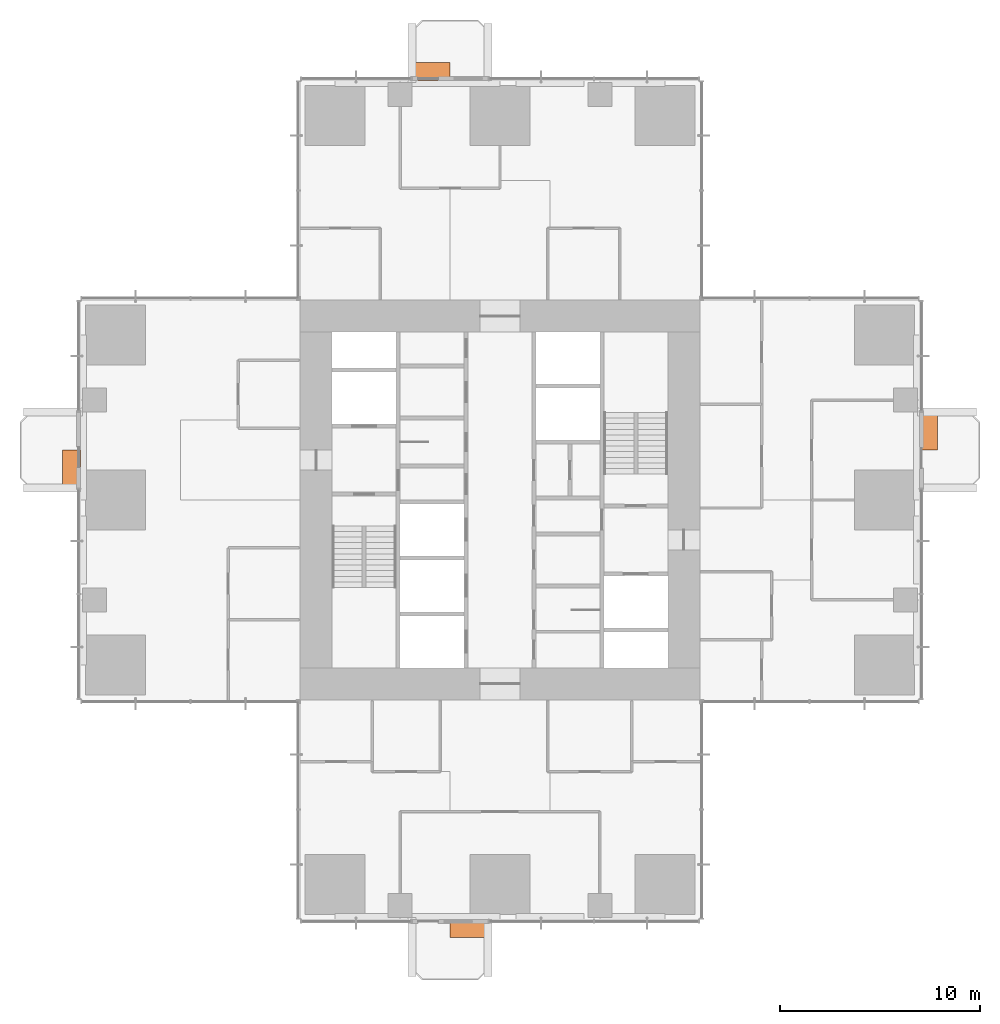
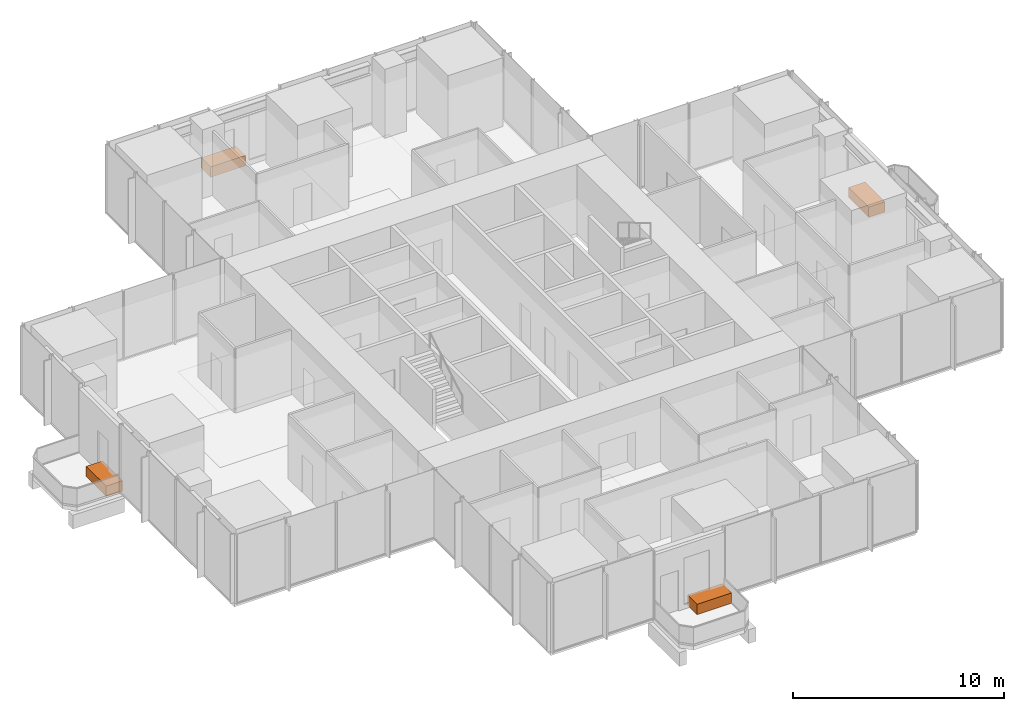
# One storey, part 13 of 13: 4 proxies.
"""IFC4 building model written with IfcOpenShell, lengths in metres."""

from ifc_helpers import new_model, si_unit, direction, frame, origin, origin_2d, place, context, subcontext, project, spatial, rectangle, extrude, element, save


model = new_model("IFC4")

# Units and contexts
model_context = context("Model", 3, precision=1e-05, world=origin(), true_north=direction((0.0, 1.0)))
body_context = subcontext(model_context, "Body", "Model", "MODEL_VIEW")
ifc_project = project(units=[si_unit("LENGTHUNIT", "METRE"), si_unit("AREAUNIT", "SQUARE_METRE"), si_unit("VOLUMEUNIT", "CUBIC_METRE"), si_unit("PLANEANGLEUNIT", "RADIAN"), si_unit("MASSUNIT", "GRAM", prefix="KILO")], contexts=[model_context])

# Site, building, storey
site_placement = place(None, origin())
site = spatial("IfcSite", under=ifc_project, at=site_placement, CompositionType="ELEMENT")
building_placement = place(site_placement, origin())
building = spatial("IfcBuilding", under=site, at=building_placement, Name="Svetlomir Tower", CompositionType="ELEMENT")
storey_placement = place(building_placement, frame((0.0, 0.0, 100.5)))
storey = spatial("IfcBuildingStorey", under=building, at=storey_placement, Name="L23", CompositionType="ELEMENT", Elevation=100.5)

# Proxies
proxy_1_placement = place(storey_placement, frame((19.449951171875, -0.449951171875, 0.0400390625), z_axis=(0.0, 0.0, 1.0), x_axis=(1.0, 0.0, 0.0)))
element("IfcBuildingElementProxy", 1, at=proxy_1_placement, inside=storey, Name="Tree planter S L23", ObjectType="PLANTER", PredefinedType="USERDEFINED", context=body_context, shape_type="SweptSolid", body=[
    extrude(rectangle(XDim=1.89990234375, YDim=0.89990234375, at=origin_2d()), origin(), (0.0, 0.0, 1.0), 0.60009765625),
])
proxy_2_placement = place(storey_placement, frame((42.449951171875, 24.449951171875, 0.0400390625), z_axis=(0.0, 0.0, 1.0), x_axis=(1.0, 0.0, 0.0)))
element("IfcBuildingElementProxy", 2, at=proxy_2_placement, inside=storey, Name="Tree planter E L23", ObjectType="PLANTER", PredefinedType="USERDEFINED", context=body_context, shape_type="SweptSolid", body=[
    extrude(rectangle(XDim=0.89990234375, YDim=1.89990234375, at=origin_2d()), origin(), (0.0, 0.0, 1.0), 0.60009765625),
])
proxy_3_placement = place(storey_placement, frame((17.550048828125, 42.449951171875, 0.0400390625), z_axis=(0.0, 0.0, 1.0), x_axis=(1.0, 0.0, 0.0)))
element("IfcBuildingElementProxy", 3, at=proxy_3_placement, inside=storey, Name="Tree planter N L23", ObjectType="PLANTER", PredefinedType="USERDEFINED", context=body_context, shape_type="SweptSolid", body=[
    extrude(rectangle(XDim=1.89990234375, YDim=0.89990234375, at=origin_2d()), origin(), (0.0, 0.0, 1.0), 0.60009765625),
])
proxy_4_placement = place(storey_placement, frame((-0.449951171875, 22.550048828125, 0.0400390625), z_axis=(0.0, 0.0, 1.0), x_axis=(1.0, 0.0, 0.0)))
element("IfcBuildingElementProxy", 4, at=proxy_4_placement, inside=storey, Name="Tree planter W L23", ObjectType="PLANTER", PredefinedType="USERDEFINED", context=body_context, shape_type="SweptSolid", body=[
    extrude(rectangle(XDim=0.89990234375, YDim=1.89990234375, at=origin_2d()), origin(), (0.0, 0.0, 1.0), 0.60009765625),
])

save(model, "model.ifc")
